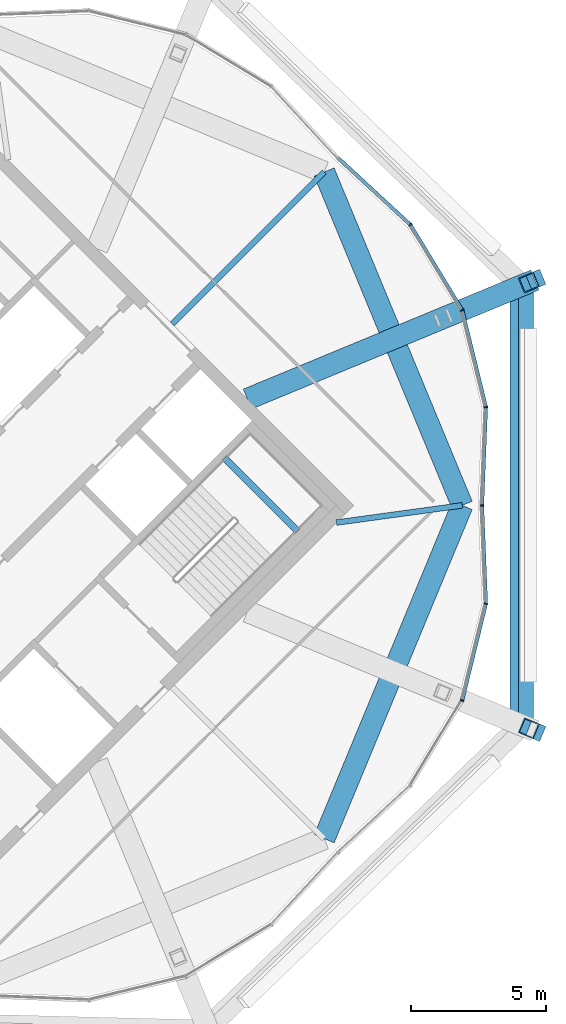
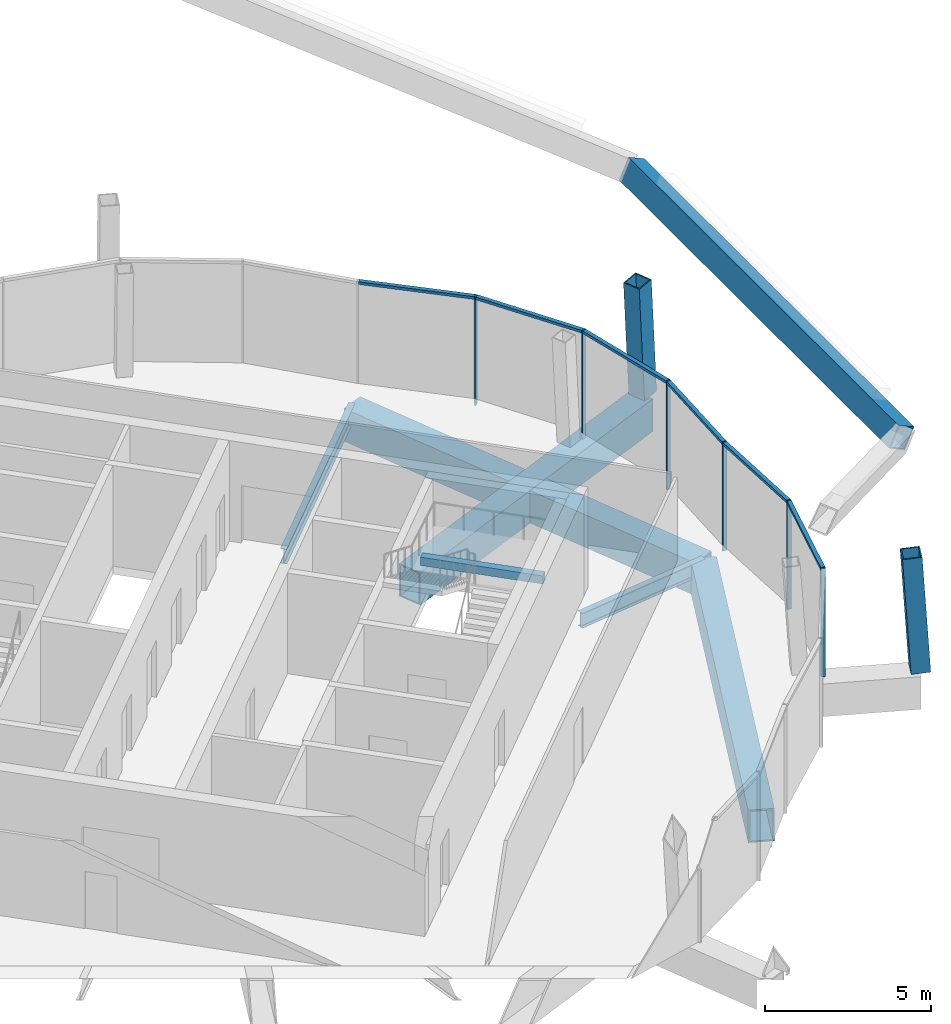
# One storey, part 20 of 34: 14 members, 7 beams, 3 elements without a shape of their own.
"""IFC4 building model written with IfcOpenShell, lengths in metres."""

from ifc_helpers import new_model, si_unit, direction, frame, origin, origin_2d, place, context, subcontext, project, spatial, rectangle, hollow_rectangle, i_section, extrude, material, material_profile, profile_set, type_object, element, aggregate, save


model = new_model("IFC4")

# Units and contexts
model_context = context("Model", 3, precision=1e-05, world=origin(), true_north=direction((0.0, 1.0)))
body_context = subcontext(model_context, "Body", "Model", "MODEL_VIEW")
ifc_project = project(units=[si_unit("LENGTHUNIT", "METRE"), si_unit("AREAUNIT", "SQUARE_METRE"), si_unit("VOLUMEUNIT", "CUBIC_METRE"), si_unit("PLANEANGLEUNIT", "RADIAN"), si_unit("MASSUNIT", "GRAM", prefix="KILO")], contexts=[model_context])

# Site, building, storey
site_placement = place(None, origin())
site = spatial("IfcSite", under=ifc_project, at=site_placement, CompositionType="ELEMENT")
building_placement = place(site_placement, origin())
building = spatial("IfcBuilding", under=site, at=building_placement, Name="Ogive Gate Towers", CompositionType="ELEMENT")
storey_placement = place(building_placement, frame((0.0, 0.0, 294.0)))
storey = spatial("IfcBuildingStorey", under=building, at=storey_placement, Name="L69", CompositionType="ELEMENT", Elevation=294.0)

# Curtain wall, members
ifc_material_1 = material(Name="Pale metal aluminium", Category="aluminium")
curtain_wall_type = type_object("IfcCurtainWallType", Name="Crown lean wall", PredefinedType="NOTDEFINED", material=ifc_material_1)
curtain_wall_1_placement = place(storey_placement, origin())
curtain_wall_1 = element("IfcCurtainWall", 1, at=curtain_wall_1_placement, inside=storey, type_object=curtain_wall_type, Name="CW5 T2 ECW01", PredefinedType="NOTDEFINED")
ifc_material_profile_1 = material_profile(ifc_material_1, rectangle(XDim=0.139892578125, YDim=0.050048828125, at=origin_2d()), Name="50 x 140 aluminium box")
ifc_profile_set_1 = profile_set([ifc_material_profile_1], Name="Pale metal aluminium")
member_type_1 = type_object("IfcMemberType", Name="Crown lean wall mullion 50 x 140", PredefinedType="MULLION", material=ifc_profile_set_1)
member_1_placement = place(storey_placement, frame((51.529296875, 10.3916015625, -0.300048828125), z_axis=(0.0, 0.0, 1.0), x_axis=(-0.77434847103, -0.632759389826, 0.0)))
member_1 = element("IfcMember", 2, at=member_1_placement, type_object=member_type_1, Name="CW5 mullion", PredefinedType="MULLION", context=body_context, shape_type="SweptSolid", body=[
    extrude(rectangle(XDim=0.139892578125, YDim=0.050048828125, at=origin_2d()), origin(), (0.0, 0.0, 1.0), 4.0),
])
member_2_placement = place(storey_placement, frame((53.448486328125, 7.227294921875, -0.300048828125), z_axis=(0.0, 0.0, 1.0), x_axis=(-0.923879532511, -0.382683432365, 0.0)))
member_2 = element("IfcMember", 3, at=member_2_placement, type_object=member_type_1, Name="CW5 mullion", PredefinedType="MULLION", context=body_context, shape_type="SweptSolid", body=[
    extrude(rectangle(XDim=0.139892578125, YDim=0.050048828125, at=origin_2d()), origin(), (0.0, 0.0, 1.0), 4.0),
])
member_3_placement = place(storey_placement, frame((54.328857421875, 3.633056640625, -0.300048828125), z_axis=(0.0, 0.0, 1.0), x_axis=(-0.99497725752, -0.100101233848, 0.0)))
member_3 = element("IfcMember", 4, at=member_3_placement, type_object=member_type_1, Name="CW5 mullion", PredefinedType="MULLION", context=body_context, shape_type="SweptSolid", body=[
    extrude(rectangle(XDim=0.139892578125, YDim=0.050048828125, at=origin_2d()), origin(), (0.0, 0.0, 1.0), 4.0),
])
member_4_placement = place(storey_placement, frame((54.18505859375, -0.001220703125, -0.300048828125), z_axis=(0.0, 0.0, 1.0), x_axis=(-0.999215271104, 0.039608610093, 0.0)))
member_4 = element("IfcMember", 5, at=member_4_placement, type_object=member_type_1, Name="CW5 mullion", PredefinedType="MULLION", context=body_context, shape_type="SweptSolid", body=[
    extrude(rectangle(XDim=0.139892578125, YDim=0.050048828125, at=origin_2d()), origin(), (0.0, 0.0, 1.0), 4.0),
])

curtain_wall_2_placement = place(storey_placement, origin())
curtain_wall_2 = element("IfcCurtainWall", 6, at=curtain_wall_2_placement, inside=storey, type_object=curtain_wall_type, Name="CW5 T2 ECW08", PredefinedType="NOTDEFINED")
member_5_placement = place(storey_placement, frame((54.328125, -3.63720703125, -0.300048828125), z_axis=(0.0, 0.0, 1.0), x_axis=(-0.971296419497, 0.237872372235, 0.0)))
member_5 = element("IfcMember", 7, at=member_5_placement, type_object=member_type_1, Name="CW5 mullion", PredefinedType="MULLION", context=body_context, shape_type="SweptSolid", body=[
    extrude(rectangle(XDim=0.139892578125, YDim=0.050048828125, at=origin_2d()), origin(), (0.0, 0.0, 1.0), 4.0),
])
member_6_placement = place(storey_placement, frame((53.448486328125, -7.227294921875, -0.300048828125), z_axis=(0.0, 0.0, 1.0), x_axis=(-0.923879532511, 0.382683432365, 0.0)))
member_6 = element("IfcMember", 8, at=member_6_placement, type_object=member_type_1, Name="CW5 mullion", PredefinedType="MULLION", context=body_context, shape_type="SweptSolid", body=[
    extrude(rectangle(XDim=0.139892578125, YDim=0.050048828125, at=origin_2d()), origin(), (0.0, 0.0, 1.0), 4.0),
])

# Member
ifc_material_profile_2 = material_profile(ifc_material_1, rectangle(XDim=0.139892578125, YDim=0.10009765625, at=origin_2d()), Name="100 x 140 aluminium box")
ifc_profile_set_2 = profile_set([ifc_material_profile_2], Name="Pale metal aluminium")
member_type_2 = type_object("IfcMemberType", Name="Crown lean wall transom 100 x 140", PredefinedType="USERDEFINED", material=ifc_profile_set_2)
member_7_placement = place(storey_placement, frame((48.876220703125, 12.8427734375, 3.64990234375), z_axis=(0.734557828346, -0.678546090414, 0.0), x_axis=(0.678546090414, 0.734557828346, 0.0)))
member_7 = element("IfcMember", 9, at=member_7_placement, type_object=member_type_2, Name="CW5 transom", ObjectType="TRANSOM", PredefinedType="USERDEFINED", context=body_context, shape_type="SweptSolid", body=[
    extrude(rectangle(XDim=0.139892578125, YDim=0.10009765625, at=origin_2d()), origin(), (0.0, 0.0, 1.0), 3.582763671875),
])

member_8_placement = place(storey_placement, frame((51.544677734375, 10.36669921875, 3.64990234375), z_axis=(0.518629997302, -0.854998787074, 0.0), x_axis=(0.854998787074, 0.518629997302, 0.0)))
member_8 = element("IfcMember", 10, at=member_8_placement, type_object=member_type_2, Name="CW5 transom", ObjectType="TRANSOM", PredefinedType="USERDEFINED", context=body_context, shape_type="SweptSolid", body=[
    extrude(rectangle(XDim=0.139892578125, YDim=0.10009765625, at=origin_2d()), origin(), (0.0, 0.0, 1.0), 3.64208984375),
])

member_9_placement = place(storey_placement, frame((53.455810546875, 7.19873046875, 3.64990234375), z_axis=(0.237911321475, -0.971286879925, 0.0), x_axis=(0.971286879925, 0.237911321475, 0.0)))
member_9 = element("IfcMember", 11, at=member_9_placement, type_object=member_type_2, Name="CW5 transom", ObjectType="TRANSOM", PredefinedType="USERDEFINED", context=body_context, shape_type="SweptSolid", body=[
    extrude(rectangle(XDim=0.139892578125, YDim=0.10009765625, at=origin_2d()), origin(), (0.0, 0.0, 1.0), 3.641845703125),
])

member_10_placement = place(storey_placement, frame((54.327880859375, 3.603759765625, 3.64990234375), z_axis=(-0.039589778104, -0.99921601742, 0.0), x_axis=(0.99921601742, -0.039589778104, 0.0)))
member_10 = element("IfcMember", 12, at=member_10_placement, type_object=member_type_2, Name="CW5 transom", ObjectType="TRANSOM", PredefinedType="USERDEFINED", context=body_context, shape_type="SweptSolid", body=[
    extrude(rectangle(XDim=0.139892578125, YDim=0.10009765625, at=origin_2d()), origin(), (0.0, 0.0, 1.0), 3.5830078125),
])

aggregate(curtain_wall_1, [member_1, member_7, member_2, member_8, member_3, member_9, member_4, member_10])

member_11_placement = place(storey_placement, frame((54.322265625, -3.661376953125, 3.64990234375), z_axis=(-0.237911321475, -0.971286879925, 0.0), x_axis=(0.971286879925, -0.237911321475, 0.0)))
member_11 = element("IfcMember", 13, at=member_11_placement, type_object=member_type_2, Name="CW5 transom", ObjectType="TRANSOM", PredefinedType="USERDEFINED", context=body_context, shape_type="SweptSolid", body=[
    extrude(rectangle(XDim=0.139892578125, YDim=0.10009765625, at=origin_2d()), origin(), (0.0, 0.0, 1.0), 3.641845703125),
])

aggregate(curtain_wall_2, [member_5, member_6, member_11])

# Curtain wall, member
curtain_wall_3_placement = place(storey_placement, origin())
curtain_wall_3 = element("IfcCurtainWall", 14, at=curtain_wall_3_placement, inside=storey, type_object=curtain_wall_type, Name="CW5 T2 ECW08b", PredefinedType="NOTDEFINED")
member_12_placement = place(storey_placement, frame((54.18603515625, -0.023681640625, 3.64990234375), z_axis=(0.039589778104, -0.99921601742, 0.0), x_axis=(0.99921601742, 0.039589778104, 0.0)))
member_12 = element("IfcMember", 15, at=member_12_placement, type_object=member_type_2, Name="CW5 transom", ObjectType="TRANSOM", PredefinedType="USERDEFINED", context=body_context, shape_type="SweptSolid", body=[
    extrude(rectangle(XDim=0.139892578125, YDim=0.10009765625, at=origin_2d()), origin(), (0.0, 0.0, 1.0), 3.5830078125),
])
aggregate(curtain_wall_3, [member_12])

# Members
ifc_material_2 = material(Name="Steel SM460", Category="steel")
ifc_material_profile_3 = material_profile(ifc_material_2, hollow_rectangle(XDim=0.60009765625, YDim=0.60009765625, WallThickness=0.0400390625, at=origin_2d()), Name="BX 600x600x40")
ifc_profile_set_3 = profile_set([ifc_material_profile_3], Name="Steel SM460")
member_type_3 = type_object("IfcMemberType", Name="Crown rib BX 600x600x40", PredefinedType="MEMBER", material=ifc_profile_set_3)
for number, where, z_axis, x_axis, name in (
    (16, (56.159423828125, 8.350341796875, -0.25), (-0.056420201971, -0.023393742281, 0.998133003979), (0.3830150227, -0.923742113572, 0.0), "T2/L69/STR001"),
    (17, (56.159423828125, -8.350341796875, -0.25), (-0.056420201971, 0.023393742281, 0.998133003979), (-0.3830150227, -0.923742113572, 0.0), "T2/L69/STR008"),
):
    element("IfcMember", number, at=place(storey_placement, frame(where, z_axis=z_axis, x_axis=x_axis)), inside=storey, type_object=member_type_3, Name=name, PredefinedType="MEMBER", context=body_context, shape_type="SweptSolid", body=[
        extrude(hollow_rectangle(XDim=0.60009765625, YDim=0.60009765625, WallThickness=0.0400390625, at=origin_2d()), origin(), (0.0, 0.0, 1.0), 4.258056640625),
    ])

# Beams
ifc_material_profile_4 = material_profile(ifc_material_2, hollow_rectangle(XDim=0.60009765625, YDim=0.800048828125, WallThickness=0.0400390625, at=origin_2d()), Name="BX 800x600x40")
ifc_profile_set_4 = profile_set([ifc_material_profile_4], Name="Steel SM460")
beam_type_1 = type_object("IfcBeamType", Name="Crown ring beam BX 800x600x40", PredefinedType="BEAM", material=ifc_profile_set_4)
beam_1_placement = place(storey_placement, frame((55.653076171875, -8.140625, 8.26953125), z_axis=(0.0, 1.0, 0.0), x_axis=(0.91281824834, 0.0, -0.408366068006)))
element("IfcBeam", 18, at=beam_1_placement, inside=storey, type_object=beam_type_1, Name="T2/L69/SBM008", PredefinedType="BEAM", context=body_context, shape_type="SweptSolid", body=[
    extrude(hollow_rectangle(XDim=0.60009765625, YDim=0.800048828125, WallThickness=0.0400390625, at=origin_2d()), origin(), (0.0, 0.0, 1.0), 16.28125),
])
ifc_material_profile_5 = material_profile(ifc_material_2, hollow_rectangle(XDim=0.800048828125, YDim=1.199951171875, WallThickness=0.050048828125, at=origin_2d()), Name="BX 1200x800x50")
ifc_profile_set_5 = profile_set([ifc_material_profile_5], Name="Steel SM460")
beam_type_2 = type_object("IfcBeamType", Name="Edge girder BX 1200x800x50", PredefinedType="BEAM", material=ifc_profile_set_5)
for number, where, z_axis, x_axis, name in (
    (19, (48.342529296875, -12.342529296875, -0.89990234375), (0.382690191996, 0.923876732551, 0.0), (-0.923876732551, 0.382690191996, 0.0), "T2/L69/SBM027"),
    (20, (53.455078125, 0.0, -0.89990234375), (-0.382690191996, 0.923876732551, 0.0), (-0.923876732551, -0.382690191996, 0.0), "T2/L69/SBM028"),
):
    element("IfcBeam", number, at=place(storey_placement, frame(where, z_axis=z_axis, x_axis=x_axis)), inside=storey, type_object=beam_type_2, Name=name, PredefinedType="BEAM", context=body_context, shape_type="SweptSolid", body=[
        extrude(hollow_rectangle(XDim=0.800048828125, YDim=1.199951171875, WallThickness=0.050048828125, at=origin_2d()), origin(), (0.0, 0.0, 1.0), 13.359619140625),
    ])
ifc_material_3 = material(Name="Concrete C40/50", Category="concrete")
ifc_material_profile_6 = material_profile(ifc_material_3, rectangle(XDim=0.25, YDim=0.300048828125, at=origin_2d()), Name="RC 250x300")
ifc_profile_set_6 = profile_set([ifc_material_profile_6], Name="Concrete C40/50")
beam_type_3 = type_object("IfcBeamType", Name="Landing bearer RC 250x300", PredefinedType="BEAM", material=ifc_profile_set_6)
beam_2_placement = place(storey_placement, frame((47.35888671875, -0.94482421875, 1.64990234375), z_axis=(-0.707138693938, 0.707074866995, 0.0), x_axis=(-0.707074866995, -0.707138693938, 0.0)))
element("IfcBeam", 21, at=beam_2_placement, inside=storey, type_object=beam_type_3, Name="T2 L69 stair 2 landing bearer 1", PredefinedType="BEAM", context=body_context, shape_type="SweptSolid", body=[
    extrude(rectangle(XDim=0.25, YDim=0.300048828125, at=origin_2d()), origin(), (0.0, 0.0, 1.0), 3.824951171875),
])
ifc_material_4 = material(Name="Steel SM355", Category="steel")
ifc_material_profile_7 = material_profile(ifc_material_4, i_section(OverallWidth=0.2099609375, OverallDepth=0.550048828125, WebThickness=0.010986328125, FlangeThickness=0.01708984375, FilletRadius=0.02392578125, at=origin_2d()), Name="IPE 550")
ifc_profile_set_7 = profile_set([ifc_material_profile_7], Name="Steel SM355")
beam_type_4 = type_object("IfcBeamType", Name="Radial floor beam IPE 550", PredefinedType="BEAM", material=ifc_profile_set_7)
beam_3_placement = place(storey_placement, frame((48.798583984375, -0.636474609375, -0.574951171875), z_axis=(0.99078744401, 0.135426145155, 0.0), x_axis=(-0.135426145155, 0.99078744401, 0.0)))
element("IfcBeam", 22, at=beam_3_placement, inside=storey, type_object=beam_type_4, Name="T2/L69/SBM015", PredefinedType="BEAM", context=body_context, shape_type="SweptSolid", body=[
    extrude(i_section(OverallWidth=0.2099609375, OverallDepth=0.550048828125, WebThickness=0.010986328125, FlangeThickness=0.01708984375, FilletRadius=0.02392578125, at=origin_2d()), origin(), (0.0, 0.0, 1.0), 4.69970703125),
])
beam_4_placement = place(storey_placement, frame((42.717529296875, 6.717529296875, -0.574951171875), z_axis=(0.707106781187, 0.707106781187, 0.0), x_axis=(-0.707106781187, 0.707106781187, 0.0)))
element("IfcBeam", 23, at=beam_4_placement, inside=storey, type_object=beam_type_4, Name="T2/L69/SBM017", PredefinedType="BEAM", context=body_context, shape_type="SweptSolid", body=[
    extrude(i_section(OverallWidth=0.2099609375, OverallDepth=0.550048828125, WebThickness=0.010986328125, FlangeThickness=0.01708984375, FilletRadius=0.02392578125, at=origin_2d()), origin(), (0.0, 0.0, 1.0), 7.954833984375),
])
ifc_material_profile_8 = material_profile(ifc_material_2, hollow_rectangle(XDim=0.800048828125, YDim=1.199951171875, WallThickness=0.050048828125, at=origin_2d()), Name="BX 1200x800x50")
ifc_profile_set_8 = profile_set([ifc_material_profile_8], Name="Steel SM460")
beam_type_5 = type_object("IfcBeamType", Name="Transfer radial beam BX 1200x800x50", PredefinedType="BEAM", material=ifc_profile_set_8)
beam_5_placement = place(storey_placement, frame((45.5, 3.93505859375, -0.89990234375), z_axis=(0.923879187615, 0.382684265017, 0.0), x_axis=(-0.382684265017, 0.923879187615, 0.0)))
element("IfcBeam", 24, at=beam_5_placement, inside=storey, type_object=beam_type_5, Name="T2/L69/SBM016", PredefinedType="BEAM", context=body_context, shape_type="SweptSolid", body=[
    extrude(hollow_rectangle(XDim=0.800048828125, YDim=1.199951171875, WallThickness=0.050048828125, at=origin_2d()), origin(), (0.0, 0.0, 1.0), 11.5224609375),
])

save(model, "model.ifc")
